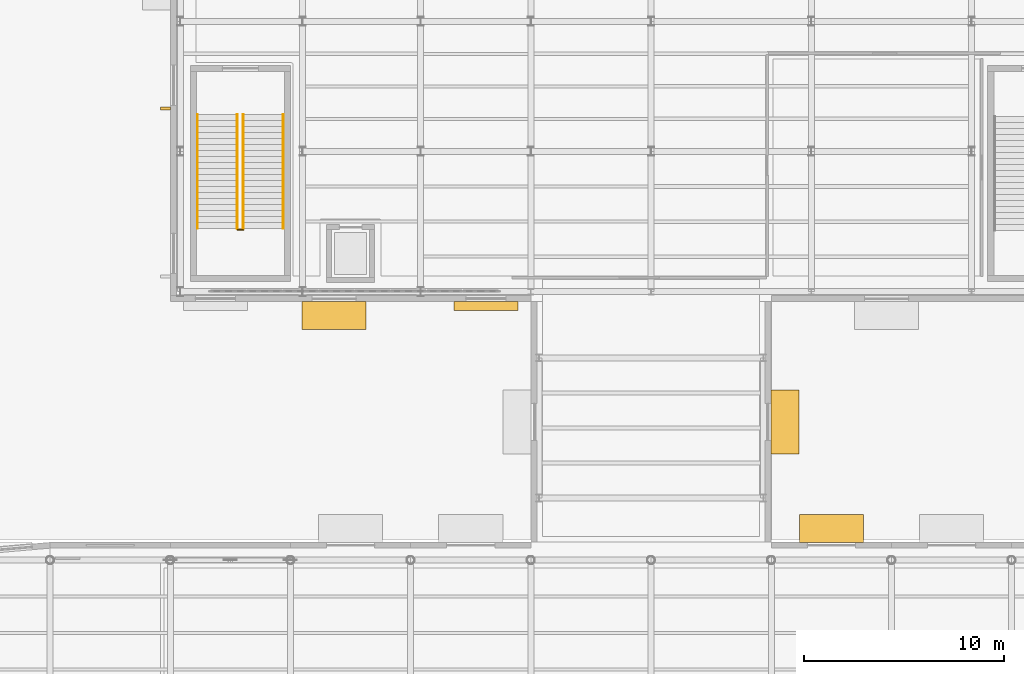
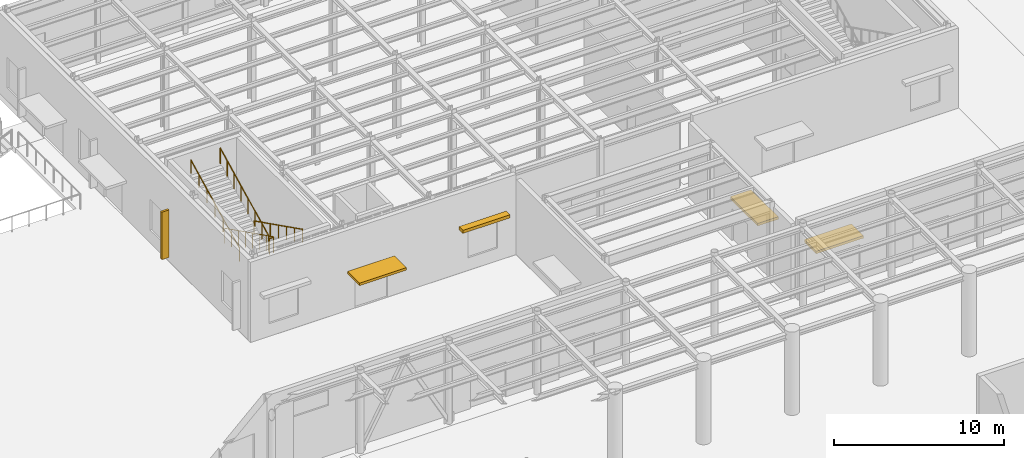
# One storey, part 111 of 118: 5 railings, 5 shading devices, 1 element without a shape of its own.
"""IFC4 building model written with IfcOpenShell, lengths in metres."""

from ifc_helpers import new_model, si_unit, direction, frame, origin, origin_2d, place, context, subcontext, project, spatial, rectangle, circle, extrude, material, type_object, element, aggregate, save


model = new_model("IFC4")

# Units and contexts
model_context = context("Model", 3, precision=1e-05, world=origin(), true_north=direction((0.0, 1.0)))
body_context = subcontext(model_context, "Body", "Model", "MODEL_VIEW")
ifc_project = project(units=[si_unit("LENGTHUNIT", "METRE"), si_unit("AREAUNIT", "SQUARE_METRE"), si_unit("VOLUMEUNIT", "CUBIC_METRE"), si_unit("PLANEANGLEUNIT", "RADIAN"), si_unit("MASSUNIT", "GRAM", prefix="KILO")], contexts=[model_context])

# Site, building, storey
site_placement = place(None, origin())
site = spatial("IfcSite", under=ifc_project, at=site_placement, CompositionType="ELEMENT")
building_placement = place(site_placement, origin())
building = spatial("IfcBuilding", under=site, at=building_placement, Name="Kolvaren Corner Interchange", CompositionType="ELEMENT")
storey_placement = place(building_placement, origin())
storey = spatial("IfcBuildingStorey", under=building, at=storey_placement, Name="L01", CompositionType="ELEMENT", Elevation=0.0)

# Stair, railings
ifc_material_1 = material(Name="Concrete C35/45", Category="concrete")
stair_type = type_object("IfcStairType", Name="ST-PL-2100", PredefinedType="HALF_TURN_STAIR", material=ifc_material_1)
stair_placement = place(storey_placement, origin())
stair = element("IfcStair", 1, at=stair_placement, inside=storey, type_object=stair_type, Name="Cycle Hub West Pavilion Exit Stair L01 to L02 Stair", PredefinedType="HALF_TURN_STAIR")
ifc_material_2 = material(Name="Powder-Coated Steel Stairwell Guardrail", Category="steel")
railing_type_1 = type_object("IfcRailingType", Name="RLT-STAIR-GRD1120", PredefinedType="GUARDRAIL", material=ifc_material_2)
railing_1_placement = place(storey_placement, frame((69.64990234375, 93.35009765625, 0.14990234375)))
railing_1 = element("IfcRailing", 2, at=railing_1_placement, type_object=railing_type_1, Name="Cycle Hub West Pavilion Exit Stair L01 Lower Flight Well Guardrail", PredefinedType="GUARDRAIL", context=body_context, shape_type="SweptSolid", body=[
    extrude(circle(Radius=0.02392578125, at=origin_2d()), frame((0.0, 0.0, 1.09619140625), z_axis=(0.0, -0.894427191, 0.4472135955), x_axis=(1.0, 0.0, 0.0)), (0.0, 0.0, 1.0), 6.373046875),
    extrude(circle(Radius=0.02001953125, at=origin_2d()), origin(), (0.0, 0.0, 1.0), 1.072021484375),
    extrude(circle(Radius=0.02001953125, at=origin_2d()), frame((0.0, -0.814208984375, 0.4072265625)), (0.0, 0.0, 1.0), 1.072021484375),
    extrude(circle(Radius=0.02001953125, at=origin_2d()), frame((0.0, -1.628662109375, 0.814208984375)), (0.0, 0.0, 1.0), 1.072021484375),
    extrude(circle(Radius=0.02001953125, at=origin_2d()), frame((0.0, -2.44287109375, 1.221435546875)), (0.0, 0.0, 1.0), 1.072021484375),
    extrude(circle(Radius=0.02001953125, at=origin_2d()), frame((0.0, -3.25732421875, 1.628662109375)), (0.0, 0.0, 1.0), 1.072021484375),
    extrude(circle(Radius=0.02001953125, at=origin_2d()), frame((0.0, -4.071533203125, 2.035888671875)), (0.0, 0.0, 1.0), 1.072021484375),
    extrude(circle(Radius=0.02001953125, at=origin_2d()), frame((0.0, -4.885986328125, 2.44287109375)), (0.0, 0.0, 1.0), 1.072021484375),
    extrude(circle(Radius=0.02001953125, at=origin_2d()), frame((0.0, -5.7001953125, 2.85009765625)), (0.0, 0.0, 1.0), 1.072021484375),
])
railing_2_placement = place(storey_placement, frame((69.639892578125, 87.590087890625, 3.0)))
railing_2 = element("IfcRailing", 3, at=railing_2_placement, type_object=railing_type_1, Name="Cycle Hub West Pavilion Exit Stair L01 Half Landing Well Guardrail", PredefinedType="GUARDRAIL", context=body_context, shape_type="SweptSolid", body=[
    extrude(circle(Radius=0.02392578125, at=origin_2d()), frame((0.0, 0.0, 1.09619140625), z_axis=(-1.0, 0.0, 0.0), x_axis=(0.0, -1.0, 0.0)), (0.0, 0.0, 1.0), 0.27978515625),
    extrude(circle(Radius=0.02001953125, at=origin_2d()), origin(), (0.0, 0.0, 1.0), 1.072021484375),
    extrude(circle(Radius=0.02001953125, at=origin_2d()), frame((-0.27978515625, 0.0, 0.0)), (0.0, 0.0, 1.0), 1.072021484375),
])
railing_3_placement = place(storey_placement, frame((69.35009765625, 87.64990234375, 3.14990234375)))
railing_3 = element("IfcRailing", 4, at=railing_3_placement, type_object=railing_type_1, Name="Cycle Hub West Pavilion Exit Stair L01 Upper Flight Well Guardrail", PredefinedType="GUARDRAIL", context=body_context, shape_type="SweptSolid", body=[
    extrude(circle(Radius=0.02392578125, at=origin_2d()), frame((0.0, 0.0, 1.09619140625), z_axis=(0.0, 0.894427191, 0.4472135955), x_axis=(-1.0, 0.0, 0.0)), (0.0, 0.0, 1.0), 6.373046875),
    extrude(circle(Radius=0.02001953125, at=origin_2d()), origin(), (0.0, 0.0, 1.0), 1.072021484375),
    extrude(circle(Radius=0.02001953125, at=origin_2d()), frame((0.0, 0.814208984375, 0.4072265625)), (0.0, 0.0, 1.0), 1.072021484375),
    extrude(circle(Radius=0.02001953125, at=origin_2d()), frame((0.0, 1.628662109375, 0.814208984375)), (0.0, 0.0, 1.0), 1.072021484375),
    extrude(circle(Radius=0.02001953125, at=origin_2d()), frame((0.0, 2.44287109375, 1.221435546875)), (0.0, 0.0, 1.0), 1.072021484375),
    extrude(circle(Radius=0.02001953125, at=origin_2d()), frame((0.0, 3.25732421875, 1.628662109375)), (0.0, 0.0, 1.0), 1.072021484375),
    extrude(circle(Radius=0.02001953125, at=origin_2d()), frame((0.0, 4.071533203125, 2.035888671875)), (0.0, 0.0, 1.0), 1.072021484375),
    extrude(circle(Radius=0.02001953125, at=origin_2d()), frame((0.0, 4.885986328125, 2.44287109375)), (0.0, 0.0, 1.0), 1.072021484375),
    extrude(circle(Radius=0.02001953125, at=origin_2d()), frame((0.0, 5.7001953125, 2.85009765625)), (0.0, 0.0, 1.0), 1.072021484375),
])
ifc_material_3 = material(Name="Brushed Stainless Steel Stair Handrail", Category="steel")
railing_type_2 = type_object("IfcRailingType", Name="RLT-STAIR-HR950", PredefinedType="HANDRAIL", material=ifc_material_3)
railing_4_placement = place(storey_placement, frame((71.639892578125, 93.35009765625, 0.14990234375)))
railing_4 = element("IfcRailing", 5, at=railing_4_placement, type_object=railing_type_2, Name="Cycle Hub West Pavilion Exit Stair L01 Lower Flight Wall Handrail", PredefinedType="HANDRAIL", context=body_context, shape_type="SweptSolid", body=[
    extrude(circle(Radius=0.02197265625, at=origin_2d()), frame((0.0, 0.0, 0.927978515625), z_axis=(0.0, -0.894427191, 0.4472135955), x_axis=(1.0, 0.0, 0.0)), (0.0, 0.0, 1.0), 6.373046875),
    extrude(circle(Radius=0.01806640625, at=origin_2d()), origin(), (0.0, 0.0, 1.0), 0.906005859375),
    extrude(circle(Radius=0.01806640625, at=origin_2d()), frame((0.0, -0.949951171875, 0.47509765625)), (0.0, 0.0, 1.0), 0.906005859375),
    extrude(circle(Radius=0.01806640625, at=origin_2d()), frame((0.0, -1.900146484375, 0.949951171875)), (0.0, 0.0, 1.0), 0.906005859375),
    extrude(circle(Radius=0.01806640625, at=origin_2d()), frame((0.0, -2.85009765625, 1.425048828125)), (0.0, 0.0, 1.0), 0.906005859375),
    extrude(circle(Radius=0.01806640625, at=origin_2d()), frame((0.0, -3.800048828125, 1.900146484375)), (0.0, 0.0, 1.0), 0.906005859375),
    extrude(circle(Radius=0.01806640625, at=origin_2d()), frame((0.0, -4.750244140625, 2.375)), (0.0, 0.0, 1.0), 0.906005859375),
    extrude(circle(Radius=0.01806640625, at=origin_2d()), frame((0.0, -5.7001953125, 2.85009765625)), (0.0, 0.0, 1.0), 0.906005859375),
])
railing_5_placement = place(storey_placement, frame((67.360107421875, 87.64990234375, 3.14990234375)))
railing_5 = element("IfcRailing", 6, at=railing_5_placement, type_object=railing_type_2, Name="Cycle Hub West Pavilion Exit Stair L01 Upper Flight Wall Handrail", PredefinedType="HANDRAIL", context=body_context, shape_type="SweptSolid", body=[
    extrude(circle(Radius=0.02197265625, at=origin_2d()), frame((0.0, 0.0, 0.927978515625), z_axis=(0.0, 0.894427191, 0.4472135955), x_axis=(-1.0, 0.0, 0.0)), (0.0, 0.0, 1.0), 6.373046875),
    extrude(circle(Radius=0.01806640625, at=origin_2d()), origin(), (0.0, 0.0, 1.0), 0.906005859375),
    extrude(circle(Radius=0.01806640625, at=origin_2d()), frame((0.0, 0.949951171875, 0.47509765625)), (0.0, 0.0, 1.0), 0.906005859375),
    extrude(circle(Radius=0.01806640625, at=origin_2d()), frame((0.0, 1.900146484375, 0.949951171875)), (0.0, 0.0, 1.0), 0.906005859375),
    extrude(circle(Radius=0.01806640625, at=origin_2d()), frame((0.0, 2.85009765625, 1.425048828125)), (0.0, 0.0, 1.0), 0.906005859375),
    extrude(circle(Radius=0.01806640625, at=origin_2d()), frame((0.0, 3.800048828125, 1.900146484375)), (0.0, 0.0, 1.0), 0.906005859375),
    extrude(circle(Radius=0.01806640625, at=origin_2d()), frame((0.0, 4.750244140625, 2.375)), (0.0, 0.0, 1.0), 0.906005859375),
    extrude(circle(Radius=0.01806640625, at=origin_2d()), frame((0.0, 5.7001953125, 2.85009765625)), (0.0, 0.0, 1.0), 0.906005859375),
])
aggregate(stair, [railing_1, railing_2, railing_3, railing_4, railing_5])

# Shading devices
ifc_material_4 = material(Name="Glazed Ochre Ceramic Baguette Solar Louvre")
shading_device_type_1 = type_object("IfcShadingDeviceType", Name="SHD-BAG-H450", PredefinedType="JALOUSIE", material=ifc_material_4)
shading_device_1_placement = place(storey_placement, frame((81.75, 83.7900390625, 3.1298828125), z_axis=(0.0, 0.0, 1.0), x_axis=(1.0, 0.0, 0.0)))
element("IfcShadingDevice", 7, at=shading_device_1_placement, inside=storey, type_object=shading_device_type_1, Name="L01 Ceramic Solar Shading 0246", PredefinedType="JALOUSIE", context=body_context, shape_type="SweptSolid", body=[
    extrude(rectangle(XDim=3.199951171875, YDim=0.449951171875, at=origin_2d()), origin(), (0.0, 0.0, 1.0), 0.219970703125),
])
ifc_material_5 = material(Name="Anodised Aluminium Entrance Rain Canopy", Category="aluminium")
shading_device_type_2 = type_object("IfcShadingDeviceType", Name="SHD-CAN-1400", PredefinedType="AWNING", material=ifc_material_5)
for number, where, z_axis, x_axis, name in (
    (8, (99.0, 72.675048828125, 2.66015625), (0.0, 0.0, 1.0), (-1.0, 0.0, 0.0), "Entrance Monsoon Rain Canopy 022"),
    (9, (74.179931640625, 83.31494140625, 2.60986328125), (0.0, 0.0, 1.0), (1.0, 0.0, 0.0), "Entrance Monsoon Rain Canopy 025"),
    (10, (96.68505859375, 78.0, 2.4599609375), (0.0, 0.0, 1.0), (0.0, 1.0, 0.0), "Entrance Monsoon Rain Canopy 031"),
):
    element("IfcShadingDevice", number, at=place(storey_placement, frame(where, z_axis=z_axis, x_axis=x_axis)), inside=storey, type_object=shading_device_type_2, Name=name, PredefinedType="AWNING", context=body_context, shape_type="SweptSolid", body=[
        extrude(rectangle(XDim=3.199951171875, YDim=1.39990234375, at=origin_2d()), origin(), (0.0, 0.0, 1.0), 0.179931640625),
    ])
ifc_material_6 = material(Name="Vertical Terracotta Solar Fin", Category="masonry")
shading_device_type_3 = type_object("IfcShadingDeviceType", Name="SHD-FIN-V500", PredefinedType="USERDEFINED", material=ifc_material_6)
shading_device_2_placement = place(storey_placement, frame((65.764892578125, 93.645751953125, 0.300048828125), z_axis=(0.0, 0.0, 1.0), x_axis=(0.0, -1.0, 0.0)))
element("IfcShadingDevice", 11, at=shading_device_2_placement, inside=storey, type_object=shading_device_type_3, Name="L01 Ceramic Solar Shading 0263", ObjectType="SUNSHADE", PredefinedType="USERDEFINED", context=body_context, shape_type="SweptSolid", body=[
    extrude(rectangle(XDim=0.139892578125, YDim=0.5, at=origin_2d()), origin(), (0.0, 0.0, 1.0), 3.39990234375),
])

save(model, "model.ifc")
